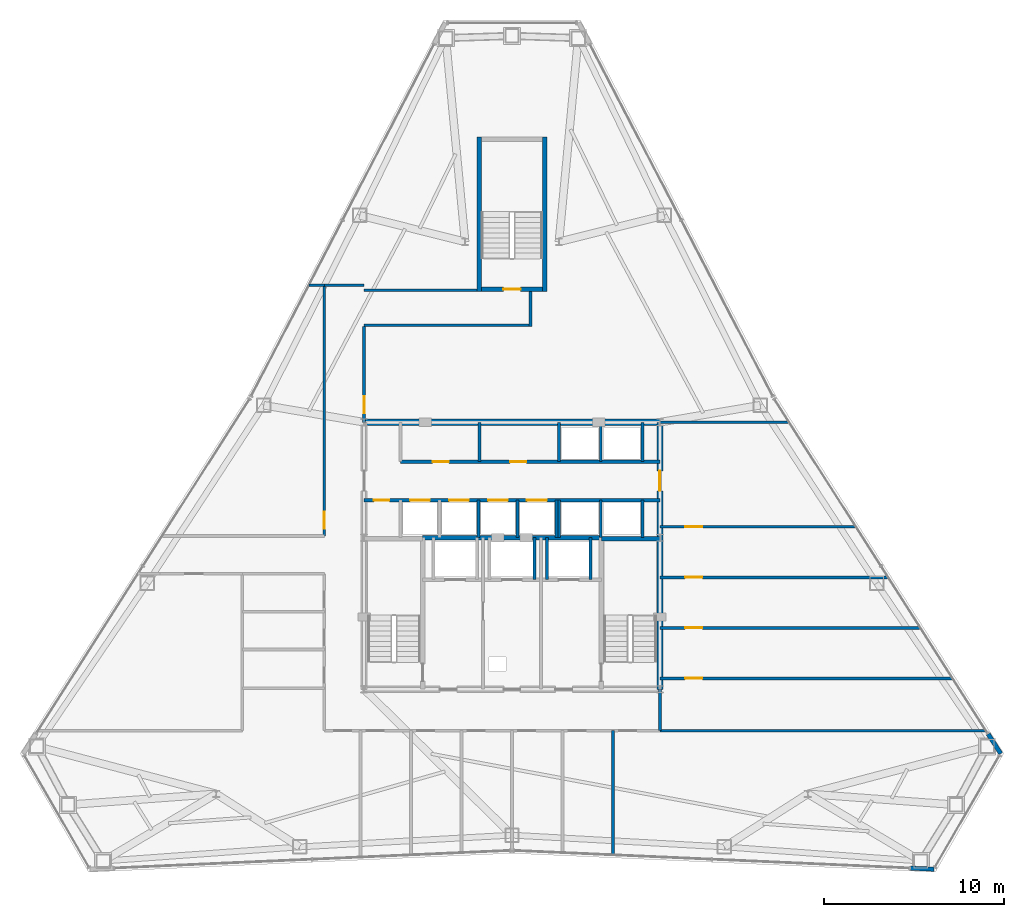
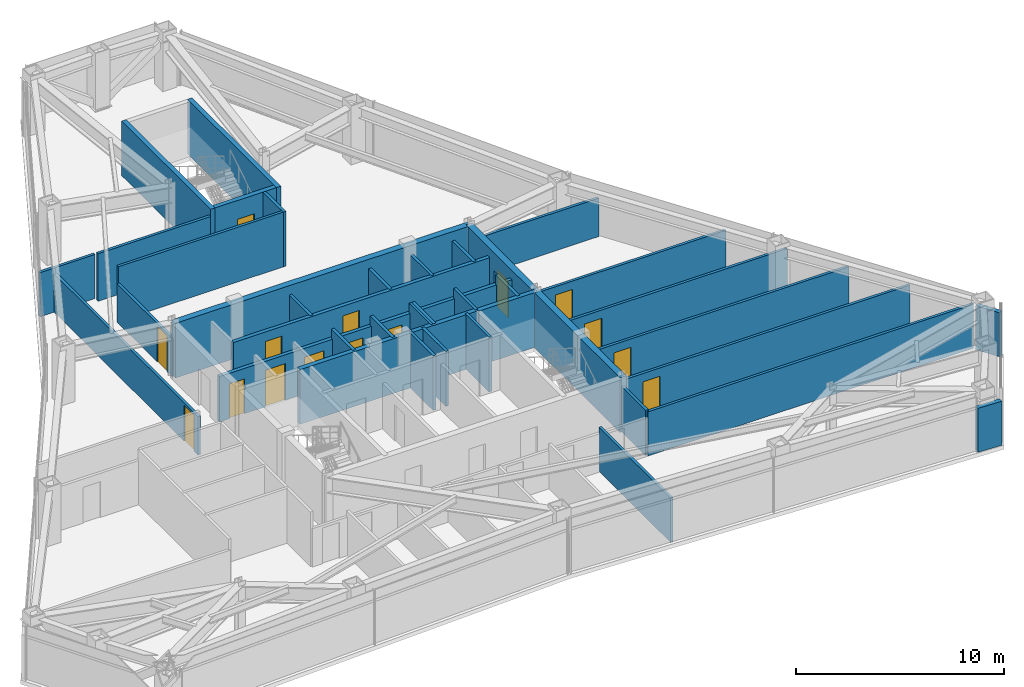
# One storey, part 11 of 13: 39 walls, 15 doors, 15 openings.
"""IFC4 building model written with IfcOpenShell, lengths in metres."""

from ifc_helpers import new_model, si_unit, direction, frame, frame_2d, origin, place, context, subcontext, project, spatial, rectangle, extrude, material, layer, layer_set, type_object, element, fill, save


model = new_model("IFC4")

# Units and contexts
model_context = context("Model", 3, precision=1e-05, world=origin(), true_north=direction((0.0, 1.0)))
body_context = subcontext(model_context, "Body", "Model", "MODEL_VIEW")
ifc_project = project(units=[si_unit("LENGTHUNIT", "METRE"), si_unit("AREAUNIT", "SQUARE_METRE"), si_unit("VOLUMEUNIT", "CUBIC_METRE"), si_unit("PLANEANGLEUNIT", "RADIAN"), si_unit("MASSUNIT", "GRAM", prefix="KILO")], contexts=[model_context])

# Site, building, storey
site_placement = place(None, origin())
site = spatial("IfcSite", under=ifc_project, at=site_placement, CompositionType="ELEMENT")
building_placement = place(site_placement, origin())
building = spatial("IfcBuilding", under=site, at=building_placement, Name="Varakhsha Concourse Tower", CompositionType="ELEMENT")
storey_placement = place(building_placement, frame((0.0, 0.0, 186.14990234375)))
storey = spatial("IfcBuildingStorey", under=building, at=storey_placement, Name="L53", CompositionType="ELEMENT", Elevation=186.14990234375)

# Wall
ifc_material_1 = material(Name="Concrete fc 65 MPa", Category="concrete")
ifc_layer_1 = layer(ifc_material_1, 0.35009765625, Name="WL-CORE-350")
ifc_layer_set_1 = layer_set([ifc_layer_1], Name="Concrete fc 65 MPa")
wall_type_1 = type_object("IfcWallType", Name="WL-CORE-350", PredefinedType="SHEAR", material=ifc_layer_set_1)
wall_1_placement = place(storey_placement, frame((31.800048828125, 31.199951171875, 0.0), z_axis=(0.0, 0.0, 1.0), x_axis=(1.0, 0.0, 0.0)))
element("IfcWall", 1, at=wall_1_placement, inside=storey, type_object=wall_type_1, Name="L53 Wall CWALL-N-L53", PredefinedType="SHEAR", context=body_context, shape_type="SweptSolid", body=[
    extrude(rectangle(XDim=16.39990234375, YDim=0.35009765625, at=frame_2d((8.199951171875, 0.0))), origin(), (0.0, 0.0, 1.0), 3.210205078125),
])

# Wall, opening, door
wall_2_placement = place(storey_placement, frame((48.199951171875, 16.39990234375, 0.0), z_axis=(0.0, 0.0, 1.0), x_axis=(0.0, 1.0, 0.0)))
wall_2 = element("IfcWall", 2, at=wall_2_placement, inside=storey, type_object=wall_type_1, Name="L53 Wall CWALL-E-L53", PredefinedType="SHEAR", context=body_context, shape_type="SweptSolid", body=[
    extrude(rectangle(XDim=14.800048828125, YDim=0.35009765625, at=frame_2d((7.39990234375, 0.0))), origin(), (0.0, 0.0, 1.0), 3.210205078125),
])
opening_1_placement = place(wall_2_placement, frame((11.0, 0.0, 0.0)))
opening_1 = element("IfcOpeningElement", 3, at=opening_1_placement, cuts=wall_2, Name="Opening DL-01", PredefinedType="OPENING", context=body_context, shape_type="SweptSolid", body=[
    extrude(rectangle(XDim=1.10009765625, YDim=2.14990234375, at=frame_2d((0.550048828125, 1.074951171875))), frame((0.0, 0.18505859375, 0.0), z_axis=(0.0, -1.0, 0.0), x_axis=(1.0, 0.0, 0.0)), (0.0, 0.0, 1.0), 0.3701171875),
])
ifc_material_2 = material(Name="Anodised Bronze Architectural Aluminium AA 6063-T6", Category="aluminium")
door_type_1 = type_object("IfcDoorType", Name="DR-LOB-1100", OperationType="NOTDEFINED", PredefinedType="DOOR", material=ifc_material_2)
door_1_placement = place(opening_1_placement, origin())
door_1 = element("IfcDoor", 4, at=door_1_placement, inside=storey, type_object=door_type_1, Name="L53 Lift Lobby East Concourse Door", OperationType="SINGLE_SWING_RIGHT", OverallHeight=2.14990234375, OverallWidth=1.10009765625, PredefinedType="DOOR", context=body_context, shape_type="SweptSolid", body=[
    extrude(rectangle(XDim=1.10009765625, YDim=2.14990234375, at=frame_2d((0.550048828125, 1.074951171875))), frame((0.0, 0.02490234375, 0.0), z_axis=(0.0, -1.0, 0.0), x_axis=(1.0, 0.0, 0.0)), (0.0, 0.0, 1.0), 0.050048828125),
])
fill(opening_1, door_1)

# Walls
ifc_material_3 = material(Name="Concrete fc 45 MPa", Category="concrete")
ifc_layer_2 = layer(ifc_material_3, 0.239990234375, Name="WL-EXT-CRN-240")
ifc_layer_set_2 = layer_set([ifc_layer_2], Name="Concrete fc 45 MPa")
wall_type_2 = type_object("IfcWallType", Name="WL-EXT-CRN-240", PredefinedType="SHEAR", material=ifc_layer_set_2)
for number, where, z_axis, x_axis, name in (
    (5, (62.093994140625, 6.481201171875, 0.0), (0.0, 0.0, 1.0), (0.999023236483, -0.044187927832, 0.0), "L53 Wind-Corner Shoulder Wall F6"),
    (6, (67.09033203125, 12.830810546875, 0.0), (0.0, 0.0, 1.0), (-0.537970071256, 0.842963938987, 0.0), "L53 Wind-Corner Shoulder Wall F8"),
):
    element("IfcWall", number, at=place(storey_placement, frame(where, z_axis=z_axis, x_axis=x_axis)), inside=storey, type_object=wall_type_2, Name=name, PredefinedType="SHEAR", context=body_context, shape_type="SweptSolid", body=[
        extrude(rectangle(XDim=1.29833984375, YDim=0.239990234375, at=frame_2d((0.649169921875, 0.0))), origin(), (0.0, 0.0, 1.0), 2.5830078125),
    ])
ifc_material_4 = material(Name="Fire-Rated Type X Gypsum Partition Assembly", Category="gypsum")
ifc_layer_3 = layer(ifc_material_4, 0.14990234375, Name="WL-PART-150")
ifc_layer_set_3 = layer_set([ifc_layer_3], Name="Fire-Rated Type X Gypsum Partition Assembly")
wall_type_3 = type_object("IfcWallType", Name="WL-PART-150", PredefinedType="PARTITIONING", material=ifc_layer_set_3)
wall_3_placement = place(storey_placement, frame((38.199951171875, 29.02001953125, 0.0), z_axis=(0.0, 0.0, 1.0), x_axis=(0.0, 1.0, 0.0)))
element("IfcWall", 7, at=wall_3_placement, inside=storey, type_object=wall_type_3, Name="L53 Wall P1F-D1-L53", PredefinedType="PARTITIONING", context=body_context, shape_type="SweptSolid", body=[
    extrude(rectangle(XDim=2.179931640625, YDim=0.14990234375, at=frame_2d((1.08984375, 0.0))), origin(), (0.0, 0.0, 1.0), 2.6650390625),
])
wall_4_placement = place(storey_placement, frame((48.199951171875, 14.10009765625, 0.0), z_axis=(0.0, 0.0, 1.0), x_axis=(0.0, 1.0, 0.0)))
element("IfcWall", 8, at=wall_4_placement, inside=storey, type_object=wall_type_3, Name="L53 Wall CRW-SE-L53", PredefinedType="PARTITIONING", context=body_context, shape_type="SweptSolid", body=[
    extrude(rectangle(XDim=2.2998046875, YDim=0.14990234375, at=frame_2d((1.14990234375, 0.0))), origin(), (0.0, 0.0, 1.0), 2.6650390625),
])

# Wall, opening, door
wall_5_placement = place(storey_placement, frame((29.60009765625, 24.89990234375, 0.0), z_axis=(0.0, 0.0, 1.0), x_axis=(0.0, 1.0, 0.0)))
wall_5 = element("IfcWall", 9, at=wall_5_placement, inside=storey, type_object=wall_type_3, Name="L53 Wall CRW-WN-L53", PredefinedType="PARTITIONING", context=body_context, shape_type="SweptSolid", body=[
    extrude(rectangle(XDim=13.900146484375, YDim=0.14990234375, at=frame_2d((6.9501953125, 0.0))), origin(), (0.0, 0.0, 1.0), 2.252197265625),
])
opening_2_placement = place(wall_5_placement, frame((0.39990234375, 0.0, 0.0)))
opening_2 = element("IfcOpeningElement", 10, at=opening_2_placement, cuts=wall_5, Name="Opening DF-05", PredefinedType="OPENING", context=body_context, shape_type="SweptSolid", body=[
    extrude(rectangle(XDim=0.949951171875, YDim=2.10009765625, at=frame_2d((0.47509765625, 1.050048828125))), frame((0.0, 0.0849609375, 0.0), z_axis=(0.0, -1.0, 0.0), x_axis=(1.0, 0.0, 0.0)), (0.0, 0.0, 1.0), 0.169921875),
])
ifc_material_5 = material(Name="Hollow Galvanised Steel Fire Door Assembly", Category="steel")
door_type_2 = type_object("IfcDoorType", Name="DR-FD60-950", OperationType="NOTDEFINED", PredefinedType="DOOR", material=ifc_material_5)
door_2_placement = place(opening_2_placement, origin())
door_2 = element("IfcDoor", 11, at=door_2_placement, inside=storey, type_object=door_type_2, Name="L53 Client Briefing Studio L53-NW Door", OperationType="SINGLE_SWING_RIGHT", OverallHeight=2.10009765625, OverallWidth=0.949951171875, PredefinedType="DOOR", context=body_context, shape_type="SweptSolid", body=[
    extrude(rectangle(XDim=0.949951171875, YDim=2.10009765625, at=frame_2d((0.47509765625, 1.050048828125))), frame((0.0, 0.02490234375, 0.0), z_axis=(0.0, -1.0, 0.0), x_axis=(1.0, 0.0, 0.0)), (0.0, 0.0, 1.0), 0.050048828125),
])
fill(opening_2, door_2)

wall_6_placement = place(storey_placement, frame((31.800048828125, 31.199951171875, 0.0), z_axis=(0.0, 0.0, 1.0), x_axis=(0.0, 1.0, 0.0)))
wall_6 = element("IfcWall", 12, at=wall_6_placement, inside=storey, type_object=wall_type_3, Name="L53 Wall CRW-NE-L53", PredefinedType="PARTITIONING", context=body_context, shape_type="SweptSolid", body=[
    extrude(rectangle(XDim=5.300048828125, YDim=0.14990234375, at=frame_2d((2.64990234375, 0.0))), origin(), (0.0, 0.0, 1.0), 2.252197265625),
])
opening_3_placement = place(wall_6_placement, frame((0.5, 0.0, 0.0)))
opening_3 = element("IfcOpeningElement", 13, at=opening_3_placement, cuts=wall_6, Name="Opening DF-05", PredefinedType="OPENING", context=body_context, shape_type="SweptSolid", body=[
    extrude(rectangle(XDim=0.949951171875, YDim=2.10009765625, at=frame_2d((0.47509765625, 1.050048828125))), frame((0.0, 0.0849609375, 0.0), z_axis=(0.0, -1.0, 0.0), x_axis=(1.0, 0.0, 0.0)), (0.0, 0.0, 1.0), 0.169921875),
])
door_3_placement = place(opening_3_placement, origin())
door_3 = element("IfcDoor", 14, at=door_3_placement, inside=storey, type_object=door_type_2, Name="L53 Mountain View Project Controls Workroom L53-NE1 Door", OperationType="SINGLE_SWING_RIGHT", OverallHeight=2.10009765625, OverallWidth=0.949951171875, PredefinedType="DOOR", context=body_context, shape_type="SweptSolid", body=[
    extrude(rectangle(XDim=0.949951171875, YDim=2.10009765625, at=frame_2d((0.47509765625, 1.050048828125))), frame((0.0, 0.02490234375, 0.0), z_axis=(0.0, -1.0, 0.0), x_axis=(1.0, 0.0, 0.0)), (0.0, 0.0, 1.0), 0.050048828125),
])
fill(opening_3, door_3)

# Walls
wall_7_placement = place(storey_placement, frame((29.60009765625, 38.800048828125, 0.0), z_axis=(0.0, 0.0, 1.0), x_axis=(1.0, 0.0, 0.0)))
element("IfcWall", 15, at=wall_7_placement, inside=storey, type_object=wall_type_3, Name="L53 Wall CRW-NCAP-L53", PredefinedType="PARTITIONING", context=body_context, shape_type="SweptSolid", body=[
    extrude(rectangle(XDim=2.199951171875, YDim=0.14990234375, at=frame_2d((1.10009765625, 0.0))), origin(), (0.0, 0.0, 1.0), 2.589111328125),
])
wall_8_placement = place(storey_placement, frame((45.60009765625, 7.21728515625, 0.0), z_axis=(0.0, 0.0, 1.0), x_axis=(0.0, 1.0, 0.0)))
element("IfcWall", 16, at=wall_8_placement, inside=storey, type_object=wall_type_3, Name="L53 Wall ODIV-S6-L53", PredefinedType="PARTITIONING", context=body_context, shape_type="SweptSolid", body=[
    extrude(rectangle(XDim=6.8828125, YDim=0.14990234375, at=frame_2d((3.44140625, 0.0))), origin(), (0.0, 0.0, 1.0), 2.589111328125),
])
wall_9_placement = place(storey_placement, frame((28.7470703125, 38.800048828125, 0.0), z_axis=(0.0, 0.0, 1.0), x_axis=(1.0, 0.0, 0.0)))
element("IfcWall", 17, at=wall_9_placement, inside=storey, type_object=wall_type_3, Name="L53 Wall ODIV-NWT-L53", PredefinedType="PARTITIONING", context=body_context, shape_type="SweptSolid", body=[
    extrude(rectangle(XDim=0.85302734375, YDim=0.14990234375, at=frame_2d((0.426513671875, 0.0))), origin(), (0.0, 0.0, 1.0), 2.589111328125),
])
wall_10_placement = place(storey_placement, frame((48.199951171875, 31.199951171875, 0.0), z_axis=(0.0, 0.0, 1.0), x_axis=(1.0, 0.0, 0.0)))
element("IfcWall", 18, at=wall_10_placement, inside=storey, type_object=wall_type_3, Name="L53 Wall ODIV-NEB-L53", PredefinedType="PARTITIONING", context=body_context, shape_type="SweptSolid", body=[
    extrude(rectangle(XDim=7.16455078125, YDim=0.14990234375, at=frame_2d((3.582275390625, 0.0))), origin(), (0.0, 0.0, 1.0), 2.252197265625),
])
wall_11_placement = place(storey_placement, frame((48.199951171875, 14.10009765625, 0.0), z_axis=(0.0, 0.0, 1.0), x_axis=(1.0, 0.0, 0.0)))
element("IfcWall", 19, at=wall_11_placement, inside=storey, type_object=wall_type_3, Name="L53 Wall ODIV-EB0-L53", PredefinedType="PARTITIONING", context=body_context, shape_type="SweptSolid", body=[
    extrude(rectangle(XDim=18.074462890625, YDim=0.14990234375, at=frame_2d((9.037109375, 0.0))), origin(), (0.0, 0.0, 1.0), 2.589111328125),
])

# Wall, opening, door
wall_12_placement = place(storey_placement, frame((48.199951171875, 17.0, 0.0), z_axis=(0.0, 0.0, 1.0), x_axis=(1.0, 0.0, 0.0)))
wall_12 = element("IfcWall", 20, at=wall_12_placement, inside=storey, type_object=wall_type_3, Name="L53 Wall ODIV-E1-L53", PredefinedType="PARTITIONING", context=body_context, shape_type="SweptSolid", body=[
    extrude(rectangle(XDim=16.224365234375, YDim=0.14990234375, at=frame_2d((8.1123046875, 0.0))), origin(), (0.0, 0.0, 1.0), 2.589111328125),
])
opening_4_placement = place(wall_12_placement, frame((1.39990234375, 0.0, 0.0)))
opening_4 = element("IfcOpeningElement", 21, at=opening_4_placement, cuts=wall_12, Name="Opening DF-05", PredefinedType="OPENING", context=body_context, shape_type="SweptSolid", body=[
    extrude(rectangle(XDim=0.949951171875, YDim=2.10009765625, at=frame_2d((0.47509765625, 1.050048828125))), frame((0.0, 0.0849609375, 0.0), z_axis=(0.0, -1.0, 0.0), x_axis=(1.0, 0.0, 0.0)), (0.0, 0.0, 1.0), 0.169921875),
])
door_4_placement = place(opening_4_placement, origin())
door_4 = element("IfcDoor", 22, at=door_4_placement, inside=storey, type_object=door_type_2, Name="L53 East Suite Interconnect Door 1", OperationType="SINGLE_SWING_LEFT", OverallHeight=2.10009765625, OverallWidth=0.949951171875, PredefinedType="DOOR", context=body_context, shape_type="SweptSolid", body=[
    extrude(rectangle(XDim=0.949951171875, YDim=2.10009765625, at=frame_2d((0.47509765625, 1.050048828125))), frame((0.0, 0.02490234375, 0.0), z_axis=(0.0, -1.0, 0.0), x_axis=(1.0, 0.0, 0.0)), (0.0, 0.0, 1.0), 0.050048828125),
])
fill(opening_4, door_4)

wall_13_placement = place(storey_placement, frame((48.199951171875, 19.800048828125, 0.0), z_axis=(0.0, 0.0, 1.0), x_axis=(1.0, 0.0, 0.0)))
wall_13 = element("IfcWall", 23, at=wall_13_placement, inside=storey, type_object=wall_type_3, Name="L53 Wall ODIV-E2-L53", PredefinedType="PARTITIONING", context=body_context, shape_type="SweptSolid", body=[
    extrude(rectangle(XDim=14.43798828125, YDim=0.14990234375, at=frame_2d((7.218994140625, 0.0))), origin(), (0.0, 0.0, 1.0), 2.589111328125),
])
opening_5_placement = place(wall_13_placement, frame((1.39990234375, 0.0, 0.0)))
opening_5 = element("IfcOpeningElement", 24, at=opening_5_placement, cuts=wall_13, Name="Opening DF-05", PredefinedType="OPENING", context=body_context, shape_type="SweptSolid", body=[
    extrude(rectangle(XDim=0.949951171875, YDim=2.10009765625, at=frame_2d((0.47509765625, 1.050048828125))), frame((0.0, 0.0849609375, 0.0), z_axis=(0.0, -1.0, 0.0), x_axis=(1.0, 0.0, 0.0)), (0.0, 0.0, 1.0), 0.169921875),
])
door_5_placement = place(opening_5_placement, origin())
door_5 = element("IfcDoor", 25, at=door_5_placement, inside=storey, type_object=door_type_2, Name="L53 East Suite Interconnect Door 2", OperationType="SINGLE_SWING_RIGHT", OverallHeight=2.10009765625, OverallWidth=0.949951171875, PredefinedType="DOOR", context=body_context, shape_type="SweptSolid", body=[
    extrude(rectangle(XDim=0.949951171875, YDim=2.10009765625, at=frame_2d((0.47509765625, 1.050048828125))), frame((0.0, 0.02490234375, 0.0), z_axis=(0.0, -1.0, 0.0), x_axis=(1.0, 0.0, 0.0)), (0.0, 0.0, 1.0), 0.050048828125),
])
fill(opening_5, door_5)

wall_14_placement = place(storey_placement, frame((48.199951171875, 22.60009765625, 0.0), z_axis=(0.0, 0.0, 1.0), x_axis=(1.0, 0.0, 0.0)))
wall_14 = element("IfcWall", 26, at=wall_14_placement, inside=storey, type_object=wall_type_3, Name="L53 Wall ODIV-E3-L53", PredefinedType="PARTITIONING", context=body_context, shape_type="SweptSolid", body=[
    extrude(rectangle(XDim=12.651611328125, YDim=0.14990234375, at=frame_2d((6.32568359375, 0.0))), origin(), (0.0, 0.0, 1.0), 2.589111328125),
])
opening_6_placement = place(wall_14_placement, frame((1.39990234375, 0.0, 0.0)))
opening_6 = element("IfcOpeningElement", 27, at=opening_6_placement, cuts=wall_14, Name="Opening DF-05", PredefinedType="OPENING", context=body_context, shape_type="SweptSolid", body=[
    extrude(rectangle(XDim=0.949951171875, YDim=2.10009765625, at=frame_2d((0.47509765625, 1.050048828125))), frame((0.0, 0.0849609375, 0.0), z_axis=(0.0, -1.0, 0.0), x_axis=(1.0, 0.0, 0.0)), (0.0, 0.0, 1.0), 0.169921875),
])
door_6_placement = place(opening_6_placement, origin())
door_6 = element("IfcDoor", 28, at=door_6_placement, inside=storey, type_object=door_type_2, Name="L53 East Suite Interconnect Door 3", OperationType="SINGLE_SWING_LEFT", OverallHeight=2.10009765625, OverallWidth=0.949951171875, PredefinedType="DOOR", context=body_context, shape_type="SweptSolid", body=[
    extrude(rectangle(XDim=0.949951171875, YDim=2.10009765625, at=frame_2d((0.47509765625, 1.050048828125))), frame((0.0, 0.02490234375, 0.0), z_axis=(0.0, -1.0, 0.0), x_axis=(1.0, 0.0, 0.0)), (0.0, 0.0, 1.0), 0.050048828125),
])
fill(opening_6, door_6)

wall_15_placement = place(storey_placement, frame((48.199951171875, 25.39990234375, 0.0), z_axis=(0.0, 0.0, 1.0), x_axis=(1.0, 0.0, 0.0)))
wall_15 = element("IfcWall", 29, at=wall_15_placement, inside=storey, type_object=wall_type_3, Name="L53 Wall ODIV-E4-L53", PredefinedType="PARTITIONING", context=body_context, shape_type="SweptSolid", body=[
    extrude(rectangle(XDim=10.864990234375, YDim=0.14990234375, at=frame_2d((5.4326171875, 0.0))), origin(), (0.0, 0.0, 1.0), 2.589111328125),
])
opening_7_placement = place(wall_15_placement, frame((1.39990234375, 0.0, 0.0)))
opening_7 = element("IfcOpeningElement", 30, at=opening_7_placement, cuts=wall_15, Name="Opening DF-05", PredefinedType="OPENING", context=body_context, shape_type="SweptSolid", body=[
    extrude(rectangle(XDim=0.949951171875, YDim=2.10009765625, at=frame_2d((0.47509765625, 1.050048828125))), frame((0.0, 0.0849609375, 0.0), z_axis=(0.0, -1.0, 0.0), x_axis=(1.0, 0.0, 0.0)), (0.0, 0.0, 1.0), 0.169921875),
])
door_7_placement = place(opening_7_placement, origin())
door_7 = element("IfcDoor", 31, at=door_7_placement, inside=storey, type_object=door_type_2, Name="L53 East Suite Interconnect Door 4", OperationType="SINGLE_SWING_RIGHT", OverallHeight=2.10009765625, OverallWidth=0.949951171875, PredefinedType="DOOR", context=body_context, shape_type="SweptSolid", body=[
    extrude(rectangle(XDim=0.949951171875, YDim=2.10009765625, at=frame_2d((0.47509765625, 1.050048828125))), frame((0.0, 0.02490234375, 0.0), z_axis=(0.0, -1.0, 0.0), x_axis=(1.0, 0.0, 0.0)), (0.0, 0.0, 1.0), 0.050048828125),
])
fill(opening_7, door_7)

# Walls
wall_16_placement = place(storey_placement, frame((31.800048828125, 36.574951171875, 0.0), z_axis=(0.0, 0.0, 1.0), x_axis=(1.0, 0.0, 0.0)))
element("IfcWall", 32, at=wall_16_placement, inside=storey, type_object=wall_type_3, Name="L53 Wall STLK-S-L53", PredefinedType="PARTITIONING", context=body_context, shape_type="SweptSolid", body=[
    extrude(rectangle(XDim=9.14990234375, YDim=0.14990234375, at=frame_2d((4.574951171875, 0.0))), origin(), (0.0, 0.0, 1.0), 3.210205078125),
])
wall_17_placement = place(storey_placement, frame((31.800048828125, 38.52490234375, 0.0), z_axis=(0.0, 0.0, 1.0), x_axis=(1.0, 0.0, 0.0)))
element("IfcWall", 33, at=wall_17_placement, inside=storey, type_object=wall_type_3, Name="L53 Wall STLK-N-L53", PredefinedType="PARTITIONING", context=body_context, shape_type="SweptSolid", body=[
    extrude(rectangle(XDim=6.25, YDim=0.14990234375, at=frame_2d((3.125, 0.0))), origin(), (0.0, 0.0, 1.0), 2.793212890625),
])
wall_18_placement = place(storey_placement, frame((41.02490234375, 36.5, 0.0), z_axis=(0.0, 0.0, 1.0), x_axis=(0.0, 1.0, 0.0)))
element("IfcWall", 34, at=wall_18_placement, inside=storey, type_object=wall_type_3, Name="L53 Wall STLK-E-L53", PredefinedType="PARTITIONING", context=body_context, shape_type="SweptSolid", body=[
    extrude(rectangle(XDim=1.949951171875, YDim=0.14990234375, at=frame_2d((0.97509765625, 0.0))), origin(), (0.0, 0.0, 1.0), 3.210205078125),
])
ifc_layer_4 = layer(ifc_material_4, 0.199951171875, Name="WL-SHAFT-220")
ifc_layer_set_4 = layer_set([ifc_layer_4], Name="Fire-Rated Type X Gypsum Partition Assembly")
wall_type_4 = type_object("IfcWallType", Name="WL-SHAFT-220", PredefinedType="SOLIDWALL", material=ifc_layer_set_4)
for number, where, z_axis, x_axis, name in (
    (35, (41.949951171875, 22.47998046875, 0.0), (0.0, 0.0, 1.0), (0.0, 1.0, 0.0), "L53 Wall SHW-FFL-2-W-L53"),
    (36, (44.35009765625, 22.47998046875, 0.0), (0.0, 0.0, 1.0), (0.0, 1.0, 0.0), "L53 Wall SHW-FFL-2-E-L53"),
    (37, (41.25, 22.47998046875, 0.0), (0.0, 0.0, 1.0), (0.0, 1.0, 0.0), "L53 Wall SHW-SVL-1-E-L53"),
):
    element("IfcWall", number, at=place(storey_placement, frame(where, z_axis=z_axis, x_axis=x_axis)), inside=storey, type_object=wall_type_4, Name=name, PredefinedType="SOLIDWALL", context=body_context, shape_type="SweptSolid", body=[
        extrude(rectangle(XDim=2.320068359375, YDim=0.159912109375, at=frame_2d((1.16015625, 0.0))), origin(), (0.0, 0.0, 1.0), 3.210205078125),
    ])

# Wall, openings, doors
wall_19_placement = place(storey_placement, frame((33.820068359375, 29.02001953125, 0.0), z_axis=(0.0, 0.0, 1.0), x_axis=(1.0, 0.0, 0.0)))
wall_19 = element("IfcWall", 38, at=wall_19_placement, inside=storey, type_object=wall_type_4, Name="L53 Wall PLW-N-L53", PredefinedType="SOLIDWALL", context=body_context, shape_type="SweptSolid", body=[
    extrude(rectangle(XDim=14.3798828125, YDim=0.199951171875, at=frame_2d((7.18994140625, 0.0))), origin(), (0.0, 0.0, 1.0), 2.6650390625),
])
opening_8_placement = place(wall_19_placement, frame((1.780029296875, 0.0, 0.0)))
opening_8 = element("IfcOpeningElement", 39, at=opening_8_placement, cuts=wall_19, Name="Opening DF-06", PredefinedType="OPENING", context=body_context, shape_type="SweptSolid", body=[
    extrude(rectangle(XDim=0.89990234375, YDim=2.10009765625, at=frame_2d((0.449951171875, 1.050048828125))), frame((0.0, 0.10986328125, 0.0), z_axis=(0.0, -1.0, 0.0), x_axis=(1.0, 0.0, 0.0)), (0.0, 0.0, 1.0), 0.219970703125),
])
opening_9_placement = place(wall_19_placement, frame((6.070068359375, 0.0, 0.0)))
opening_9 = element("IfcOpeningElement", 40, at=opening_9_placement, cuts=wall_19, Name="Opening DF-06", PredefinedType="OPENING", context=body_context, shape_type="SweptSolid", body=[
    extrude(rectangle(XDim=0.89990234375, YDim=2.10009765625, at=frame_2d((0.449951171875, 1.050048828125))), frame((0.0, 0.10986328125, 0.0), z_axis=(0.0, -1.0, 0.0), x_axis=(1.0, 0.0, 0.0)), (0.0, 0.0, 1.0), 0.219970703125),
])
door_type_3 = type_object("IfcDoorType", Name="DR-FD60-900", OperationType="NOTDEFINED", PredefinedType="DOOR", material=ifc_material_5)
door_8_placement = place(opening_8_placement, origin())
door_8 = element("IfcDoor", 41, at=door_8_placement, inside=storey, type_object=door_type_3, Name="L53 Tenant Archive and IT Server Room Door", OperationType="SINGLE_SWING_LEFT", OverallHeight=2.10009765625, OverallWidth=0.89990234375, PredefinedType="DOOR", context=body_context, shape_type="SweptSolid", body=[
    extrude(rectangle(XDim=0.89990234375, YDim=2.10009765625, at=frame_2d((0.449951171875, 1.050048828125))), frame((0.0, 0.02490234375, 0.0), z_axis=(0.0, -1.0, 0.0), x_axis=(1.0, 0.0, 0.0)), (0.0, 0.0, 1.0), 0.050048828125),
])
fill(opening_8, door_8)
door_9_placement = place(opening_9_placement, origin())
door_9 = element("IfcDoor", 42, at=door_9_placement, inside=storey, type_object=door_type_3, Name="L53 Core Facility Closet N1 Door", OperationType="SINGLE_SWING_RIGHT", OverallHeight=2.10009765625, OverallWidth=0.89990234375, PredefinedType="DOOR", context=body_context, shape_type="SweptSolid", body=[
    extrude(rectangle(XDim=0.89990234375, YDim=2.10009765625, at=frame_2d((0.449951171875, 1.050048828125))), frame((0.0, 0.02490234375, 0.0), z_axis=(0.0, -1.0, 0.0), x_axis=(1.0, 0.0, 0.0)), (0.0, 0.0, 1.0), 0.050048828125),
])
fill(opening_9, door_9)

wall_20_placement = place(storey_placement, frame((31.800048828125, 26.8798828125, 0.0), z_axis=(0.0, 0.0, 1.0), x_axis=(1.0, 0.0, 0.0)))
wall_20 = element("IfcWall", 43, at=wall_20_placement, inside=storey, type_object=wall_type_4, Name="L53 Wall PLW-S-L53", PredefinedType="SOLIDWALL", context=body_context, shape_type="SweptSolid", body=[
    extrude(rectangle(XDim=16.39990234375, YDim=0.199951171875, at=frame_2d((8.199951171875, 0.0))), origin(), (0.0, 0.0, 1.0), 2.6650390625),
])
opening_10_placement = place(wall_20_placement, frame((0.550048828125, 0.0, 0.0)))
opening_10 = element("IfcOpeningElement", 44, at=opening_10_placement, cuts=wall_20, Name="Opening DF-07", PredefinedType="OPENING", context=body_context, shape_type="SweptSolid", body=[
    extrude(rectangle(XDim=0.85009765625, YDim=2.050048828125, at=frame_2d((0.425048828125, 1.02490234375))), frame((0.0, 0.10986328125, 0.0), z_axis=(0.0, -1.0, 0.0), x_axis=(1.0, 0.0, 0.0)), (0.0, 0.0, 1.0), 0.219970703125),
])
opening_11_placement = place(wall_20_placement, frame((2.550048828125, 0.0, 0.0)))
opening_11 = element("IfcOpeningElement", 45, at=opening_11_placement, cuts=wall_20, Name="Opening LD-LF-P05", PredefinedType="OPENING", context=body_context, shape_type="SweptSolid", body=[
    extrude(rectangle(XDim=1.10009765625, YDim=2.14990234375, at=frame_2d((0.550048828125, 1.074951171875))), frame((0.0, 0.10986328125, 0.0), z_axis=(0.0, -1.0, 0.0), x_axis=(1.0, 0.0, 0.0)), (0.0, 0.0, 1.0), 0.219970703125),
])
opening_12_placement = place(wall_20_placement, frame((4.7099609375, 0.0, 0.0)))
opening_12 = element("IfcOpeningElement", 46, at=opening_12_placement, cuts=wall_20, Name="Opening LD-LF-P06", PredefinedType="OPENING", context=body_context, shape_type="SweptSolid", body=[
    extrude(rectangle(XDim=1.10009765625, YDim=2.14990234375, at=frame_2d((0.550048828125, 1.074951171875))), frame((0.0, 0.10986328125, 0.0), z_axis=(0.0, -1.0, 0.0), x_axis=(1.0, 0.0, 0.0)), (0.0, 0.0, 1.0), 0.219970703125),
])
opening_13_placement = place(wall_20_placement, frame((6.8701171875, 0.0, 0.0)))
opening_13 = element("IfcOpeningElement", 47, at=opening_13_placement, cuts=wall_20, Name="Opening LD-LF-P07", PredefinedType="OPENING", context=body_context, shape_type="SweptSolid", body=[
    extrude(rectangle(XDim=1.10009765625, YDim=2.14990234375, at=frame_2d((0.550048828125, 1.074951171875))), frame((0.0, 0.10986328125, 0.0), z_axis=(0.0, -1.0, 0.0), x_axis=(1.0, 0.0, 0.0)), (0.0, 0.0, 1.0), 0.219970703125),
])
opening_14_placement = place(wall_20_placement, frame((9.030029296875, 0.0, 0.0)))
opening_14 = element("IfcOpeningElement", 48, at=opening_14_placement, cuts=wall_20, Name="Opening LD-LF-P08", PredefinedType="OPENING", context=body_context, shape_type="SweptSolid", body=[
    extrude(rectangle(XDim=1.10009765625, YDim=2.14990234375, at=frame_2d((0.550048828125, 1.074951171875))), frame((0.0, 0.10986328125, 0.0), z_axis=(0.0, -1.0, 0.0), x_axis=(1.0, 0.0, 0.0)), (0.0, 0.0, 1.0), 0.219970703125),
])
door_type_4 = type_object("IfcDoorType", Name="DR-FD60-850", OperationType="NOTDEFINED", PredefinedType="DOOR", material=ifc_material_5)
door_10_placement = place(opening_10_placement, origin())
door_10 = element("IfcDoor", 49, at=door_10_placement, inside=storey, type_object=door_type_4, Name="L53 Core Telecoms Closet Door", OperationType="SINGLE_SWING_RIGHT", OverallHeight=2.050048828125, OverallWidth=0.85009765625, PredefinedType="DOOR", context=body_context, shape_type="SweptSolid", body=[
    extrude(rectangle(XDim=0.85009765625, YDim=2.050048828125, at=frame_2d((0.425048828125, 1.02490234375))), frame((0.0, 0.02490234375, 0.0), z_axis=(0.0, -1.0, 0.0), x_axis=(1.0, 0.0, 0.0)), (0.0, 0.0, 1.0), 0.050048828125),
])
fill(opening_10, door_10)
ifc_material_6 = material(Name="Brushed Austenitic Stainless Steel AISI 316", Category="steel")
door_type_5 = type_object("IfcDoorType", Name="DR-LD-1100", OperationType="DOUBLE_DOOR_SLIDING", PredefinedType="DOOR", material=ifc_material_6)
door_11_placement = place(opening_11_placement, origin())
door_11 = element("IfcDoor", 50, at=door_11_placement, inside=storey, type_object=door_type_5, Name="Lift Landing Door LF-P05 L53", OperationType="DOUBLE_DOOR_SLIDING", OverallHeight=2.14990234375, OverallWidth=1.10009765625, PredefinedType="DOOR", context=body_context, shape_type="SweptSolid", body=[
    extrude(rectangle(XDim=1.10009765625, YDim=2.14990234375, at=frame_2d((0.550048828125, 1.074951171875))), frame((0.0, 0.02490234375, 0.0), z_axis=(0.0, -1.0, 0.0), x_axis=(1.0, 0.0, 0.0)), (0.0, 0.0, 1.0), 0.050048828125),
])
fill(opening_11, door_11)
door_12_placement = place(opening_12_placement, origin())
door_12 = element("IfcDoor", 51, at=door_12_placement, inside=storey, type_object=door_type_5, Name="Lift Landing Door LF-P06 L53", OperationType="DOUBLE_DOOR_SLIDING", OverallHeight=2.14990234375, OverallWidth=1.10009765625, PredefinedType="DOOR", context=body_context, shape_type="SweptSolid", body=[
    extrude(rectangle(XDim=1.10009765625, YDim=2.14990234375, at=frame_2d((0.550048828125, 1.074951171875))), frame((0.0, 0.02490234375, 0.0), z_axis=(0.0, -1.0, 0.0), x_axis=(1.0, 0.0, 0.0)), (0.0, 0.0, 1.0), 0.050048828125),
])
fill(opening_12, door_12)
door_13_placement = place(opening_13_placement, origin())
door_13 = element("IfcDoor", 52, at=door_13_placement, inside=storey, type_object=door_type_5, Name="Lift Landing Door LF-P07 L53", OperationType="DOUBLE_DOOR_SLIDING", OverallHeight=2.14990234375, OverallWidth=1.10009765625, PredefinedType="DOOR", context=body_context, shape_type="SweptSolid", body=[
    extrude(rectangle(XDim=1.10009765625, YDim=2.14990234375, at=frame_2d((0.550048828125, 1.074951171875))), frame((0.0, 0.02490234375, 0.0), z_axis=(0.0, -1.0, 0.0), x_axis=(1.0, 0.0, 0.0)), (0.0, 0.0, 1.0), 0.050048828125),
])
fill(opening_13, door_13)
door_14_placement = place(opening_14_placement, origin())
door_14 = element("IfcDoor", 53, at=door_14_placement, inside=storey, type_object=door_type_5, Name="Lift Landing Door LF-P08 L53", OperationType="DOUBLE_DOOR_SLIDING", OverallHeight=2.14990234375, OverallWidth=1.10009765625, PredefinedType="DOOR", context=body_context, shape_type="SweptSolid", body=[
    extrude(rectangle(XDim=1.10009765625, YDim=2.14990234375, at=frame_2d((0.550048828125, 1.074951171875))), frame((0.0, 0.02490234375, 0.0), z_axis=(0.0, -1.0, 0.0), x_axis=(1.0, 0.0, 0.0)), (0.0, 0.0, 1.0), 0.050048828125),
])
fill(opening_14, door_14)

# Walls
for number, where, z_axis, x_axis, name in (
    (54, (38.139892578125, 24.800048828125, 0.0), (0.0, 0.0, 1.0), (0.0, 1.0, 0.0), "L53 Wall SHW-LF-P06-E-L53"),
    (55, (40.300048828125, 24.800048828125, 0.0), (0.0, 0.0, 1.0), (0.0, 1.0, 0.0), "L53 Wall SHW-LF-P07-E-L53"),
    (56, (42.4599609375, 24.800048828125, 0.0), (0.0, 0.0, 1.0), (0.0, 1.0, 0.0), "L53 Wall SHW-LF-P08-E-L53"),
):
    element("IfcWall", number, at=place(storey_placement, frame(where, z_axis=z_axis, x_axis=x_axis)), inside=storey, type_object=wall_type_4, Name=name, PredefinedType="SOLIDWALL", context=body_context, shape_type="SweptSolid", body=[
        extrude(rectangle(XDim=2.079833984375, YDim=0.159912109375, at=frame_2d((1.0400390625, 0.0))), origin(), (0.0, 0.0, 1.0), 3.210205078125),
    ])
for number, where, z_axis, x_axis, name in (
    (57, (42.60009765625, 29.02001953125, 0.0), (0.0, 0.0, 1.0), (0.0, 1.0, 0.0), "L53 Wall SHW-LF-P09-W-L53"),
    (58, (44.919921875, 29.02001953125, 0.0), (0.0, 0.0, 1.0), (0.0, 1.0, 0.0), "L53 Wall SHW-LF-P09-E-L53"),
    (59, (47.239990234375, 29.02001953125, 0.0), (0.0, 0.0, 1.0), (0.0, 1.0, 0.0), "L53 Wall SHW-LF-P10-E-L53"),
):
    element("IfcWall", number, at=place(storey_placement, frame(where, z_axis=z_axis, x_axis=x_axis)), inside=storey, type_object=wall_type_4, Name=name, PredefinedType="SOLIDWALL", context=body_context, shape_type="SweptSolid", body=[
        extrude(rectangle(XDim=2.179931640625, YDim=0.159912109375, at=frame_2d((1.08984375, 0.0))), origin(), (0.0, 0.0, 1.0), 2.6650390625),
    ])
for number, where, z_axis, x_axis, name in (
    (60, (42.60009765625, 24.800048828125, 0.0), (0.0, 0.0, 1.0), (0.0, 1.0, 0.0), "L53 Wall SHW-LF-P11-W-L53"),
    (61, (44.919921875, 24.800048828125, 0.0), (0.0, 0.0, 1.0), (0.0, 1.0, 0.0), "L53 Wall SHW-LF-P11-E-L53"),
    (62, (47.239990234375, 24.800048828125, 0.0), (0.0, 0.0, 1.0), (0.0, 1.0, 0.0), "L53 Wall SHW-LF-P12-E-L53"),
):
    element("IfcWall", number, at=place(storey_placement, frame(where, z_axis=z_axis, x_axis=x_axis)), inside=storey, type_object=wall_type_4, Name=name, PredefinedType="SOLIDWALL", context=body_context, shape_type="SweptSolid", body=[
        extrude(rectangle(XDim=2.079833984375, YDim=0.159912109375, at=frame_2d((1.0400390625, 0.0))), origin(), (0.0, 0.0, 1.0), 3.210205078125),
    ])
ifc_layer_5 = layer(ifc_material_3, 0.25, Name="WL-STAIR-250")
ifc_layer_set_5 = layer_set([ifc_layer_5], Name="Concrete fc 45 MPa")
wall_type_5 = type_object("IfcWallType", Name="WL-STAIR-250", PredefinedType="SHEAR", material=ifc_layer_set_5)
wall_21_placement = place(storey_placement, frame((44.955078125, 24.7548828125, 0.0), z_axis=(0.0, 0.0, 1.0), x_axis=(1.0, 0.0, 0.0)))
element("IfcWall", 63, at=wall_21_placement, inside=storey, type_object=wall_type_5, Name="L53 Wall SWALL-ST2-N-L53", PredefinedType="SHEAR", context=body_context, shape_type="SweptSolid", body=[
    extrude(rectangle(XDim=3.244873046875, YDim=0.25, at=frame_2d((1.62255859375, 0.0))), origin(), (0.0, 0.0, 1.0), 3.210205078125),
])
wall_22_placement = place(storey_placement, frame((35.044921875, 24.800048828125, 0.0), z_axis=(0.0, 0.0, 1.0), x_axis=(1.0, 0.0, 0.0)))
element("IfcWall", 64, at=wall_22_placement, inside=storey, type_object=wall_type_5, Name="L53 Wall SWALL-MID-H-L53", PredefinedType="SHEAR", context=body_context, shape_type="SweptSolid", body=[
    extrude(rectangle(XDim=9.91015625, YDim=0.25, at=frame_2d((4.955078125, 0.0))), origin(), (0.0, 0.0, 1.0), 3.210205078125),
])
for number, where, z_axis, x_axis, name in (
    (65, (38.175048828125, 38.449951171875, 0.0), (0.0, 0.0, 1.0), (0.0, 1.0, 0.0), "L53 Wall SWALL-ST5-W-L53"),
    (66, (41.824951171875, 38.449951171875, 0.0), (0.0, 0.0, 1.0), (0.0, 1.0, 0.0), "L53 Wall SWALL-ST5-E-L53"),
):
    element("IfcWall", number, at=place(storey_placement, frame(where, z_axis=z_axis, x_axis=x_axis)), inside=storey, type_object=wall_type_5, Name=name, PredefinedType="SHEAR", context=body_context, shape_type="SweptSolid", body=[
        extrude(rectangle(XDim=8.550048828125, YDim=0.25, at=frame_2d((4.27490234375, 0.0))), origin(), (0.0, 0.0, 1.0), 3.210205078125),
    ])

# Wall, opening, door
wall_23_placement = place(storey_placement, frame((38.300048828125, 38.574951171875, 0.0), z_axis=(0.0, 0.0, 1.0), x_axis=(1.0, 0.0, 0.0)))
wall_23 = element("IfcWall", 67, at=wall_23_placement, inside=storey, type_object=wall_type_5, Name="L53 Wall SWALL-ST5-S-L53", PredefinedType="SHEAR", context=body_context, shape_type="SweptSolid", body=[
    extrude(rectangle(XDim=3.39990234375, YDim=0.25, at=frame_2d((1.699951171875, 0.0))), origin(), (0.0, 0.0, 1.0), 3.210205078125),
])
opening_15_placement = place(wall_23_placement, frame((1.22509765625, 0.0, 0.0)))
opening_15 = element("IfcOpeningElement", 68, at=opening_15_placement, cuts=wall_23, Name="Opening DF-03", PredefinedType="OPENING", context=body_context, shape_type="SweptSolid", body=[
    extrude(rectangle(XDim=0.949951171875, YDim=2.10009765625, at=frame_2d((0.47509765625, 1.050048828125))), frame((0.0, 0.135009765625, 0.0), z_axis=(0.0, -1.0, 0.0), x_axis=(1.0, 0.0, 0.0)), (0.0, 0.0, 1.0), 0.27001953125),
])
door_type_6 = type_object("IfcDoorType", Name="DR-FD90-950", OperationType="NOTDEFINED", PredefinedType="DOOR", material=ifc_material_5)
door_15_placement = place(opening_15_placement, origin())
door_15 = element("IfcDoor", 69, at=door_15_placement, inside=storey, type_object=door_type_6, Name="L53 Stair ST5 Fire Door", OperationType="SINGLE_SWING_RIGHT", OverallHeight=2.10009765625, OverallWidth=0.949951171875, PredefinedType="DOOR", context=body_context, shape_type="SweptSolid", body=[
    extrude(rectangle(XDim=0.949951171875, YDim=2.10009765625, at=frame_2d((0.47509765625, 1.050048828125))), frame((0.0, 0.02490234375, 0.0), z_axis=(0.0, -1.0, 0.0), x_axis=(1.0, 0.0, 0.0)), (0.0, 0.0, 1.0), 0.050048828125),
])
fill(opening_15, door_15)

save(model, "model.ifc")
